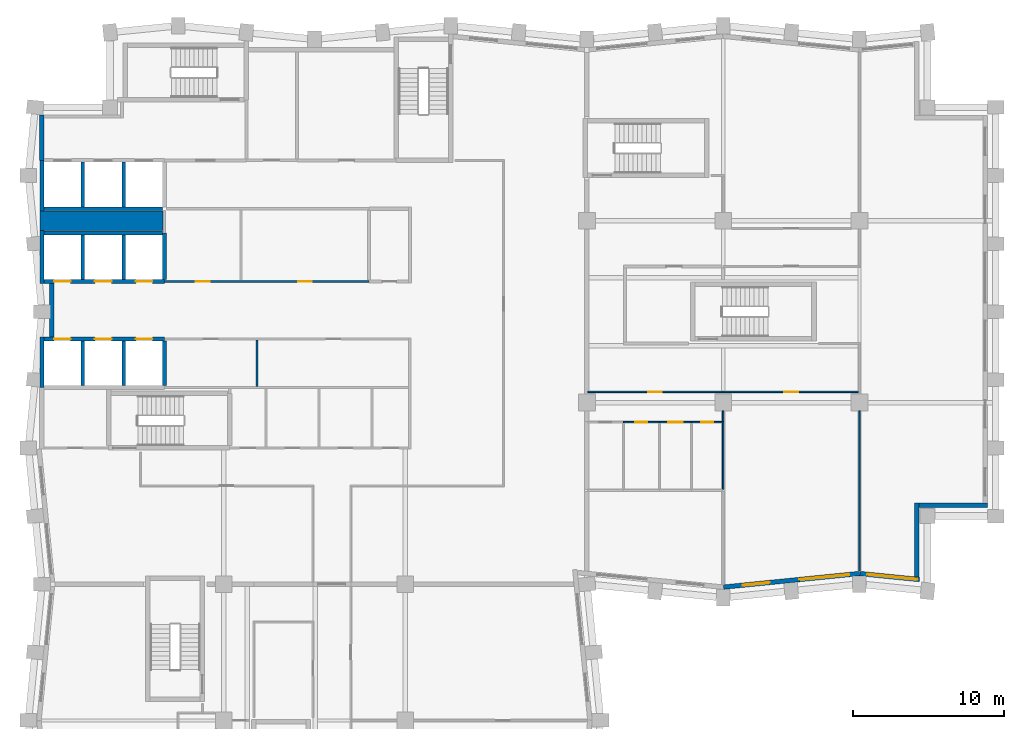
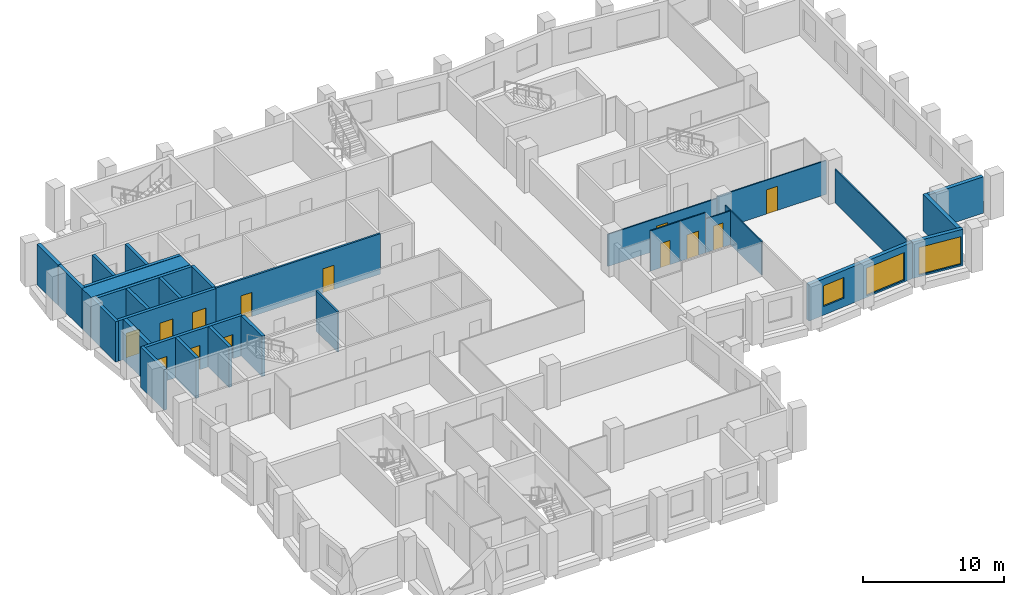
# One storey, part 5 of 10: 32 walls, 13 doors, 3 windows, 16 openings.
"""IFC4 building model written with IfcOpenShell, lengths in metres."""

from ifc_helpers import new_model, si_unit, direction, frame, frame_2d, origin, place, context, subcontext, project, spatial, rectangle, extrude, material, layer, layer_set, type_object, element, fill, save


model = new_model("IFC4")

# Units and contexts
model_context = context("Model", 3, precision=1e-05, world=origin(), true_north=direction((0.0, 1.0)))
body_context = subcontext(model_context, "Body", "Model", "MODEL_VIEW")
ifc_project = project(units=[si_unit("LENGTHUNIT", "METRE"), si_unit("AREAUNIT", "SQUARE_METRE"), si_unit("VOLUMEUNIT", "CUBIC_METRE"), si_unit("PLANEANGLEUNIT", "RADIAN"), si_unit("MASSUNIT", "GRAM", prefix="KILO")], contexts=[model_context])

# Site, building, storey
site_placement = place(None, origin())
site = spatial("IfcSite", under=ifc_project, at=site_placement, CompositionType="ELEMENT")
building_placement = place(site_placement, origin())
building = spatial("IfcBuilding", under=site, at=building_placement, Name="Brondeck Convention Tower", CompositionType="ELEMENT")
storey_placement = place(building_placement, frame((0.0, 0.0, 151.0)))
storey = spatial("IfcBuildingStorey", under=building, at=storey_placement, Name="L36", CompositionType="ELEMENT", Elevation=151.0)

# Walls
ifc_material_1 = material(Name="Concrete C70/85", Category="concrete")
ifc_layer_1 = layer(ifc_material_1, 0.300048828125)
ifc_layer_set_1 = layer_set([ifc_layer_1], Name="Core outer wall 300 Concrete C70/85")
wall_type_1 = type_object("IfcWallType", Name="Core outer wall 300 Concrete C70/85", PredefinedType="SHEAR", material=ifc_layer_set_1)
wall_1_placement = place(storey_placement, frame((0.0, 55.0, 0.0), z_axis=(0.0, 0.0, 1.0), x_axis=(0.0, 1.0, 0.0)))
element("IfcWall", 1, at=wall_1_placement, inside=storey, type_object=wall_type_1, Name="L36 core wall", PredefinedType="SHEAR", context=body_context, shape_type="SweptSolid", body=[
    extrude(rectangle(XDim=3.0, YDim=0.300048828125, at=frame_2d((1.5, 0.0))), origin(), (0.0, 0.0, 1.0), 3.5),
])
wall_2_placement = place(storey_placement, frame((0.64990234375, 43.324951171875, 0.0), z_axis=(0.0, 0.0, 1.0), x_axis=(0.0, 1.0, 0.0)))
element("IfcWall", 2, at=wall_2_placement, inside=storey, type_object=wall_type_1, Name="L36 core wall", PredefinedType="SHEAR", context=body_context, shape_type="SweptSolid", body=[
    extrude(rectangle(XDim=3.550048828125, YDim=0.300048828125, at=frame_2d((1.77490234375, 0.0))), origin(), (0.0, 0.0, 1.0), 3.5),
])

# Wall, openings, doors
ifc_material_2 = material(Name="Fire-rated gypsum board partition")
ifc_layer_2 = layer(ifc_material_2, 0.14990234375)
ifc_layer_set_2 = layer_set([ifc_layer_2], Name="Core partition 150 EI 60")
wall_type_2 = type_object("IfcWallType", Name="Core partition 150 EI 60", PredefinedType="PARTITIONING", material=ifc_layer_set_2)
wall_3_placement = place(storey_placement, frame((8.10009765625, 47.0, 0.0), z_axis=(0.0, 0.0, 1.0), x_axis=(1.0, 0.0, 0.0)))
wall_3 = element("IfcWall", 3, at=wall_3_placement, inside=storey, type_object=wall_type_2, Name="L36 core wall", PredefinedType="PARTITIONING", context=body_context, shape_type="SweptSolid", body=[
    extrude(rectangle(XDim=13.5, YDim=0.14990234375, at=frame_2d((6.75, 0.0))), origin(), (0.0, 0.0, 1.0), 3.5),
])
opening_1_placement = place(wall_3_placement, frame((2.074951171875, 0.0, 0.0)))
opening_1 = element("IfcOpeningElement", 4, at=opening_1_placement, cuts=wall_3, Name="Opening C21-08", PredefinedType="OPENING", context=body_context, shape_type="SweptSolid", body=[
    extrude(rectangle(XDim=0.89990234375, YDim=2.10009765625, at=frame_2d((0.449951171875, 1.050048828125))), frame((0.0, 0.0849609375, 0.0), z_axis=(0.0, -1.0, 0.0), x_axis=(1.0, 0.0, 0.0)), (0.0, 0.0, 1.0), 0.169921875),
])
opening_2_placement = place(wall_3_placement, frame((8.824951171875, 0.0, 0.0)))
opening_2 = element("IfcOpeningElement", 5, at=opening_2_placement, cuts=wall_3, Name="Opening C21-09", PredefinedType="OPENING", context=body_context, shape_type="SweptSolid", body=[
    extrude(rectangle(XDim=0.89990234375, YDim=2.10009765625, at=frame_2d((0.449951171875, 1.050048828125))), frame((0.0, 0.0849609375, 0.0), z_axis=(0.0, -1.0, 0.0), x_axis=(1.0, 0.0, 0.0)), (0.0, 0.0, 1.0), 0.169921875),
])
ifc_material_3 = material(Name="Steel fire door", Category="steel")
door_type_1 = type_object("IfcDoorType", Name="Room door 900x2100 EI 60", OperationType="NOTDEFINED", PredefinedType="DOOR", material=ifc_material_3)
door_1_placement = place(opening_1_placement, origin())
door_1 = element("IfcDoor", 6, at=door_1_placement, inside=storey, type_object=door_type_1, Name="L36 Room door FZ-N-8.1-1", OperationType="SINGLE_SWING_LEFT", OverallHeight=2.10009765625, OverallWidth=0.89990234375, PredefinedType="DOOR", context=body_context, shape_type="SweptSolid", body=[
    extrude(rectangle(XDim=0.89990234375, YDim=2.10009765625, at=frame_2d((0.449951171875, 1.050048828125))), frame((0.0, 0.02490234375, 0.0), z_axis=(0.0, -1.0, 0.0), x_axis=(1.0, 0.0, 0.0)), (0.0, 0.0, 1.0), 0.050048828125),
])
fill(opening_1, door_1)
door_2_placement = place(opening_2_placement, origin())
door_2 = element("IfcDoor", 7, at=door_2_placement, inside=storey, type_object=door_type_1, Name="L36 Room door FZ-N-8.1-2", OperationType="SINGLE_SWING_RIGHT", OverallHeight=2.10009765625, OverallWidth=0.89990234375, PredefinedType="DOOR", context=body_context, shape_type="SweptSolid", body=[
    extrude(rectangle(XDim=0.89990234375, YDim=2.10009765625, at=frame_2d((0.449951171875, 1.050048828125))), frame((0.0, 0.02490234375, 0.0), z_axis=(0.0, -1.0, 0.0), x_axis=(1.0, 0.0, 0.0)), (0.0, 0.0, 1.0), 0.050048828125),
])
fill(opening_2, door_2)

# Walls
wall_4_placement = place(storey_placement, frame((14.199951171875, 40.074951171875, 0.0), z_axis=(0.0, 0.0, 1.0), x_axis=(0.0, 1.0, 0.0)))
element("IfcWall", 8, at=wall_4_placement, inside=storey, type_object=wall_type_2, Name="L36 core wall", PredefinedType="PARTITIONING", context=body_context, shape_type="SweptSolid", body=[
    extrude(rectangle(XDim=3.050048828125, YDim=0.14990234375, at=frame_2d((1.52490234375, 0.0))), origin(), (0.0, 0.0, 1.0), 3.5),
])
ifc_layer_3 = layer(ifc_material_1, 1.300048828125)
ifc_layer_set_3 = layer_set([ifc_layer_3], Name="Core shear wall 1300 Concrete C70/85")
wall_type_3 = type_object("IfcWallType", Name="Core shear wall 1300 Concrete C70/85", PredefinedType="SHEAR", material=ifc_layer_set_3)
wall_5_placement = place(storey_placement, frame((-0.125, 51.0, 0.0), z_axis=(0.0, 0.0, 1.0), x_axis=(1.0, 0.0, 0.0)))
element("IfcWall", 9, at=wall_5_placement, inside=storey, type_object=wall_type_3, Name="L36 core wall", PredefinedType="SHEAR", context=body_context, shape_type="SweptSolid", body=[
    extrude(rectangle(XDim=8.125, YDim=1.300048828125, at=frame_2d((4.0625, 0.0))), origin(), (0.0, 0.0, 1.0), 3.5),
])

# Wall, openings, windows
ifc_material_4 = material(Name="Precast concrete C50/60 bronze finish", Category="concrete")
ifc_layer_4 = layer(ifc_material_4, 0.070068359375, Name="Bronze precast facing")
ifc_material_5 = material(Name="Mineral wool")
ifc_layer_5 = layer(ifc_material_5, 0.159912109375, Name="Insulation")
ifc_material_6 = material(Name="Concrete C35/45", Category="concrete")
ifc_layer_6 = layer(ifc_material_6, 0.070068359375, Name="Backing")
ifc_layer_set_4 = layer_set([ifc_layer_4, ifc_layer_5, ifc_layer_6], Name="External infill wall, precast concrete C50/60 bronze facing")
wall_type_4 = type_object("IfcWallType", Name="External infill wall, precast concrete C50/60 bronze facing", PredefinedType="SOLIDWALL", material=ifc_layer_set_4)
wall_6_placement = place(storey_placement, frame((54.014892578125, 27.705078125, 0.0), z_axis=(0.0, 0.0, 1.0), x_axis=(-0.995035316196, -0.099522457379, 0.0)))
wall_6 = element("IfcWall", 10, at=wall_6_placement, inside=storey, type_object=wall_type_4, Name="ENV-EW-L36-P1-A-S-02", PredefinedType="SOLIDWALL", context=body_context, shape_type="SweptSolid", body=[
    extrude(rectangle(XDim=9.030029296875, YDim=0.300048828125, at=frame_2d((4.51513671875, 0.0))), origin(), (0.0, 0.0, 1.0), 3.14990234375),
])
opening_3_placement = place(wall_6_placement, frame((0.6962890625, 0.0, 0.14990234375)))
opening_3 = element("IfcOpeningElement", 11, at=opening_3_placement, cuts=wall_6, Name="Opening W9", PredefinedType="OPENING", context=body_context, shape_type="SweptSolid", body=[
    extrude(rectangle(XDim=3.300048828125, YDim=2.39990234375, at=frame_2d((1.64990234375, 1.199951171875))), frame((0.0, 0.159912109375, 0.0), z_axis=(0.0, -1.0, 0.0), x_axis=(1.0, 0.0, 0.0)), (0.0, 0.0, 1.0), 0.320068359375),
])
opening_4_placement = place(wall_6_placement, frame((5.968505859375, 0.0, 0.75)))
opening_4 = element("IfcOpeningElement", 12, at=opening_4_placement, cuts=wall_6, Name="Opening W10", PredefinedType="OPENING", context=body_context, shape_type="SweptSolid", body=[
    extrude(rectangle(XDim=1.800048828125, YDim=1.800048828125, at=frame_2d((0.89990234375, 0.89990234375))), frame((0.0, 0.159912109375, 0.0), z_axis=(0.0, -1.0, 0.0), x_axis=(1.0, 0.0, 0.0)), (0.0, 0.0, 1.0), 0.320068359375),
])
ifc_material_7 = material(Name="Bronze tinted double glazing", Category="glass")
window_type_1 = type_object("IfcWindowType", Name="Glazed flute window, bronze tinted", PartitioningType="SINGLE_PANEL", PredefinedType="WINDOW", material=ifc_material_7)
window_1_placement = place(opening_3_placement, origin())
window_1 = element("IfcWindow", 13, at=window_1_placement, inside=storey, type_object=window_type_1, Name="ENV-WN-L36-P1-A-S-03", OverallHeight=2.39990234375, OverallWidth=3.300048828125, PartitioningType="SINGLE_PANEL", PredefinedType="WINDOW", context=body_context, shape_type="SweptSolid", body=[
    extrude(rectangle(XDim=3.300048828125, YDim=2.39990234375, at=frame_2d((1.64990234375, 1.199951171875))), frame((0.0, 0.030029296875, 0.0), z_axis=(0.0, -1.0, 0.0), x_axis=(1.0, 0.0, 0.0)), (0.0, 0.0, 1.0), 0.06005859375),
])
fill(opening_3, window_1)
window_type_2 = type_object("IfcWindowType", Name="Punched window, bronze tinted", PartitioningType="SINGLE_PANEL", PredefinedType="WINDOW", material=ifc_material_7)
window_2_placement = place(opening_4_placement, origin())
window_2 = element("IfcWindow", 14, at=window_2_placement, inside=storey, type_object=window_type_2, Name="ENV-WN-L36-P1-A-S-02", OverallHeight=1.800048828125, OverallWidth=1.800048828125, PartitioningType="SINGLE_PANEL", PredefinedType="WINDOW", context=body_context, shape_type="SweptSolid", body=[
    extrude(rectangle(XDim=1.800048828125, YDim=1.800048828125, at=frame_2d((0.89990234375, 0.89990234375))), frame((0.0, 0.030029296875, 0.0), z_axis=(0.0, -1.0, 0.0), x_axis=(1.0, 0.0, 0.0)), (0.0, 0.0, 1.0), 0.06005859375),
])
fill(opening_4, window_2)

# Wall, opening, window
wall_7_placement = place(storey_placement, frame((57.96484375, 27.306884765625, 0.0), z_axis=(0.0, 0.0, 1.0), x_axis=(-0.99503596767, 0.099515943658, 0.0)))
wall_7 = element("IfcWall", 15, at=wall_7_placement, inside=storey, type_object=wall_type_4, Name="ENV-EW-L36-P1-A-S-04", PredefinedType="SOLIDWALL", context=body_context, shape_type="SweptSolid", body=[
    extrude(rectangle(XDim=3.95458984375, YDim=0.300048828125, at=frame_2d((1.977294921875, 0.0))), origin(), (0.0, 0.0, 1.0), 3.14990234375),
])
opening_5_placement = place(wall_7_placement, frame((0.14990234375, 0.0, 0.14990234375)))
opening_5 = element("IfcOpeningElement", 16, at=opening_5_placement, cuts=wall_7, Name="Opening W9", PredefinedType="OPENING", context=body_context, shape_type="SweptSolid", body=[
    extrude(rectangle(XDim=3.300048828125, YDim=2.39990234375, at=frame_2d((1.64990234375, 1.199951171875))), frame((0.0, 0.159912109375, 0.0), z_axis=(0.0, -1.0, 0.0), x_axis=(1.0, 0.0, 0.0)), (0.0, 0.0, 1.0), 0.320068359375),
])
window_3_placement = place(opening_5_placement, origin())
window_3 = element("IfcWindow", 17, at=window_3_placement, inside=storey, type_object=window_type_1, Name="ENV-WN-L36-P1-A-S-04", OverallHeight=2.39990234375, OverallWidth=3.300048828125, PartitioningType="SINGLE_PANEL", PredefinedType="WINDOW", context=body_context, shape_type="SweptSolid", body=[
    extrude(rectangle(XDim=3.300048828125, YDim=2.39990234375, at=frame_2d((1.64990234375, 1.199951171875))), frame((0.0, 0.030029296875, 0.0), z_axis=(0.0, -1.0, 0.0), x_axis=(1.0, 0.0, 0.0)), (0.0, 0.0, 1.0), 0.06005859375),
])
fill(opening_5, window_3)

# Walls
wall_8_placement = place(storey_placement, frame((57.800048828125, 32.35009765625, 0.0), z_axis=(0.0, 0.0, 1.0), x_axis=(0.0, -1.0, 0.0)))
element("IfcWall", 18, at=wall_8_placement, inside=storey, type_object=wall_type_4, Name="ENV-EW-L36-P1-NC-SEA63-01", PredefinedType="SOLIDWALL", context=body_context, shape_type="SweptSolid", body=[
    extrude(rectangle(XDim=4.87060546875, YDim=0.300048828125, at=frame_2d((2.435302734375, 0.0))), origin(), (0.0, 0.0, 1.0), 3.14990234375),
])
wall_9_placement = place(storey_placement, frame((62.449951171875, 32.199951171875, 0.0), z_axis=(0.0, 0.0, 1.0), x_axis=(-1.0, 0.0, 0.0)))
element("IfcWall", 19, at=wall_9_placement, inside=storey, type_object=wall_type_4, Name="ENV-EW-L36-P1-NC-SEA63-02", PredefinedType="SOLIDWALL", context=body_context, shape_type="SweptSolid", body=[
    extrude(rectangle(XDim=4.501953125, YDim=0.300048828125, at=frame_2d((2.2509765625, 0.0))), origin(), (0.0, 0.0, 1.0), 3.14990234375),
])

# Wall, openings, doors
ifc_layer_7 = layer(ifc_material_1, 0.25)
ifc_layer_set_5 = layer_set([ifc_layer_7], Name="Lift shaft wall 250 Concrete C70/85")
wall_type_5 = type_object("IfcWallType", Name="Lift shaft wall 250 Concrete C70/85", PredefinedType="SHEAR", material=ifc_layer_set_5)
wall_10_placement = place(storey_placement, frame((0.125, 43.199951171875, 0.0), z_axis=(0.0, 0.0, 1.0), x_axis=(1.0, 0.0, 0.0)))
wall_10 = element("IfcWall", 20, at=wall_10_placement, inside=storey, type_object=wall_type_5, Name="L36 core wall", PredefinedType="SHEAR", context=body_context, shape_type="SweptSolid", body=[
    extrude(rectangle(XDim=7.97509765625, YDim=0.25, at=frame_2d((3.987548828125, 0.0))), origin(), (0.0, 0.0, 1.0), 3.5),
])
opening_6_placement = place(wall_10_placement, frame((0.675048828125, 0.0, 0.0)))
opening_6 = element("IfcOpeningElement", 21, at=opening_6_placement, cuts=wall_10, Name="Opening C21-24", PredefinedType="OPENING", context=body_context, shape_type="SweptSolid", body=[
    extrude(rectangle(XDim=1.10009765625, YDim=2.10009765625, at=frame_2d((0.550048828125, 1.050048828125))), frame((0.0, 0.135009765625, 0.0), z_axis=(0.0, -1.0, 0.0), x_axis=(1.0, 0.0, 0.0)), (0.0, 0.0, 1.0), 0.27001953125),
])
opening_7_placement = place(wall_10_placement, frame((3.375, 0.0, 0.0)))
opening_7 = element("IfcOpeningElement", 22, at=opening_7_placement, cuts=wall_10, Name="Opening C21-25", PredefinedType="OPENING", context=body_context, shape_type="SweptSolid", body=[
    extrude(rectangle(XDim=1.10009765625, YDim=2.10009765625, at=frame_2d((0.550048828125, 1.050048828125))), frame((0.0, 0.135009765625, 0.0), z_axis=(0.0, -1.0, 0.0), x_axis=(1.0, 0.0, 0.0)), (0.0, 0.0, 1.0), 0.27001953125),
])
opening_8_placement = place(wall_10_placement, frame((6.074951171875, 0.0, 0.0)))
opening_8 = element("IfcOpeningElement", 23, at=opening_8_placement, cuts=wall_10, Name="Opening C21-26", PredefinedType="OPENING", context=body_context, shape_type="SweptSolid", body=[
    extrude(rectangle(XDim=1.10009765625, YDim=2.10009765625, at=frame_2d((0.550048828125, 1.050048828125))), frame((0.0, 0.135009765625, 0.0), z_axis=(0.0, -1.0, 0.0), x_axis=(1.0, 0.0, 0.0)), (0.0, 0.0, 1.0), 0.27001953125),
])
ifc_material_8 = material(Name="Stainless steel lift door", Category="steel")
door_type_2 = type_object("IfcDoorType", Name="Lift landing door 1100x2100 EI 180", OperationType="DOUBLE_DOOR_SLIDING", PredefinedType="DOOR", material=ifc_material_8)
door_3_placement = place(opening_6_placement, origin())
door_3 = element("IfcDoor", 24, at=door_3_placement, inside=storey, type_object=door_type_2, Name="L36 Lift landing door HR1", OperationType="DOUBLE_DOOR_SLIDING", OverallHeight=2.10009765625, OverallWidth=1.10009765625, PredefinedType="DOOR", context=body_context, shape_type="SweptSolid", body=[
    extrude(rectangle(XDim=1.10009765625, YDim=2.10009765625, at=frame_2d((0.550048828125, 1.050048828125))), frame((0.0, 0.02490234375, 0.0), z_axis=(0.0, -1.0, 0.0), x_axis=(1.0, 0.0, 0.0)), (0.0, 0.0, 1.0), 0.050048828125),
])
fill(opening_6, door_3)
door_4_placement = place(opening_7_placement, origin())
door_4 = element("IfcDoor", 25, at=door_4_placement, inside=storey, type_object=door_type_2, Name="L36 Lift landing door HR2", OperationType="DOUBLE_DOOR_SLIDING", OverallHeight=2.10009765625, OverallWidth=1.10009765625, PredefinedType="DOOR", context=body_context, shape_type="SweptSolid", body=[
    extrude(rectangle(XDim=1.10009765625, YDim=2.10009765625, at=frame_2d((0.550048828125, 1.050048828125))), frame((0.0, 0.02490234375, 0.0), z_axis=(0.0, -1.0, 0.0), x_axis=(1.0, 0.0, 0.0)), (0.0, 0.0, 1.0), 0.050048828125),
])
fill(opening_7, door_4)
door_5_placement = place(opening_8_placement, origin())
door_5 = element("IfcDoor", 26, at=door_5_placement, inside=storey, type_object=door_type_2, Name="L36 Lift landing door HR3", OperationType="DOUBLE_DOOR_SLIDING", OverallHeight=2.10009765625, OverallWidth=1.10009765625, PredefinedType="DOOR", context=body_context, shape_type="SweptSolid", body=[
    extrude(rectangle(XDim=1.10009765625, YDim=2.10009765625, at=frame_2d((0.550048828125, 1.050048828125))), frame((0.0, 0.02490234375, 0.0), z_axis=(0.0, -1.0, 0.0), x_axis=(1.0, 0.0, 0.0)), (0.0, 0.0, 1.0), 0.050048828125),
])
fill(opening_8, door_5)

wall_11_placement = place(storey_placement, frame((0.125, 47.0, 0.0), z_axis=(0.0, 0.0, 1.0), x_axis=(1.0, 0.0, 0.0)))
wall_11 = element("IfcWall", 27, at=wall_11_placement, inside=storey, type_object=wall_type_5, Name="L36 core wall", PredefinedType="SHEAR", context=body_context, shape_type="SweptSolid", body=[
    extrude(rectangle(XDim=7.97509765625, YDim=0.25, at=frame_2d((3.987548828125, 0.0))), origin(), (0.0, 0.0, 1.0), 3.5),
])
opening_9_placement = place(wall_11_placement, frame((0.675048828125, 0.0, 0.0)))
opening_9 = element("IfcOpeningElement", 28, at=opening_9_placement, cuts=wall_11, Name="Opening C21-27", PredefinedType="OPENING", context=body_context, shape_type="SweptSolid", body=[
    extrude(rectangle(XDim=1.10009765625, YDim=2.10009765625, at=frame_2d((0.550048828125, 1.050048828125))), frame((0.0, 0.135009765625, 0.0), z_axis=(0.0, -1.0, 0.0), x_axis=(1.0, 0.0, 0.0)), (0.0, 0.0, 1.0), 0.27001953125),
])
opening_10_placement = place(wall_11_placement, frame((3.375, 0.0, 0.0)))
opening_10 = element("IfcOpeningElement", 29, at=opening_10_placement, cuts=wall_11, Name="Opening C21-28", PredefinedType="OPENING", context=body_context, shape_type="SweptSolid", body=[
    extrude(rectangle(XDim=1.10009765625, YDim=2.10009765625, at=frame_2d((0.550048828125, 1.050048828125))), frame((0.0, 0.135009765625, 0.0), z_axis=(0.0, -1.0, 0.0), x_axis=(1.0, 0.0, 0.0)), (0.0, 0.0, 1.0), 0.27001953125),
])
opening_11_placement = place(wall_11_placement, frame((6.074951171875, 0.0, 0.0)))
opening_11 = element("IfcOpeningElement", 30, at=opening_11_placement, cuts=wall_11, Name="Opening C21-29", PredefinedType="OPENING", context=body_context, shape_type="SweptSolid", body=[
    extrude(rectangle(XDim=1.10009765625, YDim=2.10009765625, at=frame_2d((0.550048828125, 1.050048828125))), frame((0.0, 0.135009765625, 0.0), z_axis=(0.0, -1.0, 0.0), x_axis=(1.0, 0.0, 0.0)), (0.0, 0.0, 1.0), 0.27001953125),
])
door_6_placement = place(opening_9_placement, origin())
door_6 = element("IfcDoor", 31, at=door_6_placement, inside=storey, type_object=door_type_2, Name="L36 Lift landing door HR4", OperationType="DOUBLE_DOOR_SLIDING", OverallHeight=2.10009765625, OverallWidth=1.10009765625, PredefinedType="DOOR", context=body_context, shape_type="SweptSolid", body=[
    extrude(rectangle(XDim=1.10009765625, YDim=2.10009765625, at=frame_2d((0.550048828125, 1.050048828125))), frame((0.0, 0.02490234375, 0.0), z_axis=(0.0, -1.0, 0.0), x_axis=(1.0, 0.0, 0.0)), (0.0, 0.0, 1.0), 0.050048828125),
])
fill(opening_9, door_6)
door_7_placement = place(opening_10_placement, origin())
door_7 = element("IfcDoor", 32, at=door_7_placement, inside=storey, type_object=door_type_2, Name="L36 Lift landing door HR5", OperationType="DOUBLE_DOOR_SLIDING", OverallHeight=2.10009765625, OverallWidth=1.10009765625, PredefinedType="DOOR", context=body_context, shape_type="SweptSolid", body=[
    extrude(rectangle(XDim=1.10009765625, YDim=2.10009765625, at=frame_2d((0.550048828125, 1.050048828125))), frame((0.0, 0.02490234375, 0.0), z_axis=(0.0, -1.0, 0.0), x_axis=(1.0, 0.0, 0.0)), (0.0, 0.0, 1.0), 0.050048828125),
])
fill(opening_10, door_7)
door_8_placement = place(opening_11_placement, origin())
door_8 = element("IfcDoor", 33, at=door_8_placement, inside=storey, type_object=door_type_2, Name="L36 Lift landing door HR6", OperationType="DOUBLE_DOOR_SLIDING", OverallHeight=2.10009765625, OverallWidth=1.10009765625, PredefinedType="DOOR", context=body_context, shape_type="SweptSolid", body=[
    extrude(rectangle(XDim=1.10009765625, YDim=2.10009765625, at=frame_2d((0.550048828125, 1.050048828125))), frame((0.0, 0.02490234375, 0.0), z_axis=(0.0, -1.0, 0.0), x_axis=(1.0, 0.0, 0.0)), (0.0, 0.0, 1.0), 0.050048828125),
])
fill(opening_11, door_8)

# Walls
for number, where, z_axis, x_axis, name in (
    (34, (0.125, 50.199951171875, 0.0), (0.0, 0.0, 1.0), (1.0, 0.0, 0.0), "L36 core wall"),
    (35, (0.125, 51.800048828125, 0.0), (0.0, 0.0, 1.0), (1.0, 0.0, 0.0), "L36 core wall"),
):
    element("IfcWall", number, at=place(storey_placement, frame(where, z_axis=z_axis, x_axis=x_axis)), inside=storey, type_object=wall_type_5, Name=name, PredefinedType="SHEAR", context=body_context, shape_type="SweptSolid", body=[
        extrude(rectangle(XDim=7.85009765625, YDim=0.25, at=frame_2d((3.925048828125, 0.0))), origin(), (0.0, 0.0, 1.0), 3.5),
    ])
wall_12_placement = place(storey_placement, frame((0.0, 40.0, 0.0), z_axis=(0.0, 0.0, 1.0), x_axis=(0.0, 1.0, 0.0)))
element("IfcWall", 36, at=wall_12_placement, inside=storey, type_object=wall_type_5, Name="L36 core wall", PredefinedType="SHEAR", context=body_context, shape_type="SweptSolid", body=[
    extrude(rectangle(XDim=3.324951171875, YDim=0.25, at=frame_2d((1.66259765625, 0.0))), origin(), (0.0, 0.0, 1.0), 3.5),
])
wall_13_placement = place(storey_placement, frame((0.0, 46.875, 0.0), z_axis=(0.0, 0.0, 1.0), x_axis=(0.0, 1.0, 0.0)))
element("IfcWall", 37, at=wall_13_placement, inside=storey, type_object=wall_type_5, Name="L36 core wall", PredefinedType="SHEAR", context=body_context, shape_type="SweptSolid", body=[
    extrude(rectangle(XDim=3.47509765625, YDim=0.25, at=frame_2d((1.737548828125, 0.0))), origin(), (0.0, 0.0, 1.0), 3.5),
])
wall_14_placement = place(storey_placement, frame((0.0, 51.64990234375, 0.0), z_axis=(0.0, 0.0, 1.0), x_axis=(0.0, 1.0, 0.0)))
element("IfcWall", 38, at=wall_14_placement, inside=storey, type_object=wall_type_5, Name="L36 core wall", PredefinedType="SHEAR", context=body_context, shape_type="SweptSolid", body=[
    extrude(rectangle(XDim=3.35009765625, YDim=0.25, at=frame_2d((1.675048828125, 0.0))), origin(), (0.0, 0.0, 1.0), 3.5),
])
for number, where, z_axis, x_axis, name in (
    (39, (2.699951171875, 40.125, 0.0), (0.0, 0.0, 1.0), (0.0, 1.0, 0.0), "L36 core wall"),
    (40, (2.699951171875, 47.125, 0.0), (0.0, 0.0, 1.0), (0.0, 1.0, 0.0), "L36 core wall"),
    (41, (2.699951171875, 51.925048828125, 0.0), (0.0, 0.0, 1.0), (0.0, 1.0, 0.0), "L36 core wall"),
    (42, (5.39990234375, 40.125, 0.0), (0.0, 0.0, 1.0), (0.0, 1.0, 0.0), "L36 core wall"),
    (43, (5.39990234375, 47.125, 0.0), (0.0, 0.0, 1.0), (0.0, 1.0, 0.0), "L36 core wall"),
    (44, (5.39990234375, 51.925048828125, 0.0), (0.0, 0.0, 1.0), (0.0, 1.0, 0.0), "L36 core wall"),
    (45, (8.10009765625, 40.125, 0.0), (0.0, 0.0, 1.0), (0.0, 1.0, 0.0), "L36 core wall"),
):
    element("IfcWall", number, at=place(storey_placement, frame(where, z_axis=z_axis, x_axis=x_axis)), inside=storey, type_object=wall_type_5, Name=name, PredefinedType="SHEAR", context=body_context, shape_type="SweptSolid", body=[
        extrude(rectangle(XDim=2.949951171875, YDim=0.25, at=frame_2d((1.47509765625, 0.0))), origin(), (0.0, 0.0, 1.0), 3.5),
    ])
wall_15_placement = place(storey_placement, frame((8.10009765625, 47.125, 0.0), z_axis=(0.0, 0.0, 1.0), x_axis=(0.0, 1.0, 0.0)))
element("IfcWall", 46, at=wall_15_placement, inside=storey, type_object=wall_type_5, Name="L36 core wall", PredefinedType="SHEAR", context=body_context, shape_type="SweptSolid", body=[
    extrude(rectangle(XDim=3.074951171875, YDim=0.25, at=frame_2d((1.53759765625, 0.0))), origin(), (0.0, 0.0, 1.0), 3.5),
])
ifc_material_9 = material(Name="Gypsum board partition on steel studs", Category="steel")
ifc_layer_8 = layer(ifc_material_9, 0.10009765625)
ifc_layer_set_6 = layer_set([ifc_layer_8], Name="Room partition 100")
wall_type_6 = type_object("IfcWallType", Name="Room partition 100", PredefinedType="PARTITIONING", material=ifc_layer_set_6)
wall_16_placement = place(storey_placement, frame((54.0, 27.874267578125, 0.0), z_axis=(0.0, 0.0, 1.0), x_axis=(0.0, 1.0, 0.0)))
element("IfcWall", 47, at=wall_16_placement, inside=storey, type_object=wall_type_6, Name="FLR-L36-W028", PredefinedType="PARTITIONING", context=body_context, shape_type="SweptSolid", body=[
    extrude(rectangle(XDim=10.57080078125, YDim=0.10009765625, at=frame_2d((5.285400390625, 0.0))), origin(), (0.0, 0.0, 1.0), 2.929931640625),
])
wall_17_placement = place(storey_placement, frame((45.0, 37.7451171875, 0.0), z_axis=(0.0, 0.0, 1.0), x_axis=(0.0, -1.0, 0.0)))
element("IfcWall", 48, at=wall_17_placement, inside=storey, type_object=wall_type_6, Name="FLR-L36-W043", PredefinedType="PARTITIONING", context=body_context, shape_type="SweptSolid", body=[
    extrude(rectangle(XDim=4.482666015625, YDim=0.10009765625, at=frame_2d((2.2412109375, 0.0))), origin(), (0.0, 0.0, 1.0), 2.929931640625),
])

# Wall, opening, door
wall_18_placement = place(storey_placement, frame((40.800048828125, 37.699951171875, 0.0), z_axis=(0.0, 0.0, 1.0), x_axis=(-1.0, 0.0, 0.0)))
wall_18 = element("IfcWall", 49, at=wall_18_placement, inside=storey, type_object=wall_type_6, Name="FLR-L36-W045", PredefinedType="PARTITIONING", context=body_context, shape_type="SweptSolid", body=[
    extrude(rectangle(XDim=2.400146484375, YDim=0.10009765625, at=frame_2d((1.2001953125, 0.0))), origin(), (0.0, 0.0, 1.0), 3.47998046875),
])
opening_12_placement = place(wall_18_placement, frame((0.800048828125, 0.0, 0.0)))
opening_12 = element("IfcOpeningElement", 50, at=opening_12_placement, cuts=wall_18, Name="Opening OF-F2-008", PredefinedType="OPENING", context=body_context, shape_type="SweptSolid", body=[
    extrude(rectangle(XDim=0.800048828125, YDim=2.10009765625, at=frame_2d((0.39990234375, 1.050048828125))), frame((0.0, 0.06005859375, 0.0), z_axis=(0.0, -1.0, 0.0), x_axis=(1.0, 0.0, 0.0)), (0.0, 0.0, 1.0), 0.1201171875),
])
ifc_material_10 = material(Name="Solid timber door leaf", Category="wood")
door_type_3 = type_object("IfcDoorType", Name="En-suite door 800", OperationType="NOTDEFINED", PredefinedType="DOOR", material=ifc_material_10)
door_9_placement = place(opening_12_placement, origin())
door_9 = element("IfcDoor", 51, at=door_9_placement, inside=storey, type_object=door_type_3, Name="Door OF-F2-008", OperationType="SINGLE_SWING_LEFT", OverallHeight=2.10009765625, OverallWidth=0.800048828125, PredefinedType="DOOR", context=body_context, shape_type="SweptSolid", body=[
    extrude(rectangle(XDim=0.800048828125, YDim=2.10009765625, at=frame_2d((0.39990234375, 1.050048828125))), frame((0.0, 0.02490234375, 0.0), z_axis=(0.0, -1.0, 0.0), x_axis=(1.0, 0.0, 0.0)), (0.0, 0.0, 1.0), 0.050048828125),
])
fill(opening_12, door_9)

wall_19_placement = place(storey_placement, frame((42.89990234375, 37.699951171875, 0.0), z_axis=(0.0, 0.0, 1.0), x_axis=(-1.0, 0.0, 0.0)))
wall_19 = element("IfcWall", 52, at=wall_19_placement, inside=storey, type_object=wall_type_6, Name="FLR-L36-W046", PredefinedType="PARTITIONING", context=body_context, shape_type="SweptSolid", body=[
    extrude(rectangle(XDim=2.099853515625, YDim=0.10009765625, at=frame_2d((1.0498046875, 0.0))), origin(), (0.0, 0.0, 1.0), 3.47998046875),
])
opening_13_placement = place(wall_19_placement, frame((0.574951171875, 0.0, 0.0)))
opening_13 = element("IfcOpeningElement", 53, at=opening_13_placement, cuts=wall_19, Name="Opening OF-F2-009", PredefinedType="OPENING", context=body_context, shape_type="SweptSolid", body=[
    extrude(rectangle(XDim=0.949951171875, YDim=2.10009765625, at=frame_2d((0.47509765625, 1.050048828125))), frame((0.0, 0.06005859375, 0.0), z_axis=(0.0, -1.0, 0.0), x_axis=(1.0, 0.0, 0.0)), (0.0, 0.0, 1.0), 0.1201171875),
])
door_type_4 = type_object("IfcDoorType", Name="Accessible door 950", OperationType="NOTDEFINED", PredefinedType="DOOR", material=ifc_material_10)
door_10_placement = place(opening_13_placement, origin())
door_10 = element("IfcDoor", 54, at=door_10_placement, inside=storey, type_object=door_type_4, Name="Door OF-F2-009", OperationType="SINGLE_SWING_RIGHT", OverallHeight=2.10009765625, OverallWidth=0.949951171875, PredefinedType="DOOR", context=body_context, shape_type="SweptSolid", body=[
    extrude(rectangle(XDim=0.949951171875, YDim=2.10009765625, at=frame_2d((0.47509765625, 1.050048828125))), frame((0.0, 0.02490234375, 0.0), z_axis=(0.0, -1.0, 0.0), x_axis=(1.0, 0.0, 0.0)), (0.0, 0.0, 1.0), 0.050048828125),
])
fill(opening_13, door_10)

wall_20_placement = place(storey_placement, frame((44.949951171875, 37.699951171875, 0.0), z_axis=(0.0, 0.0, 1.0), x_axis=(-1.0, 0.0, 0.0)))
wall_20 = element("IfcWall", 55, at=wall_20_placement, inside=storey, type_object=wall_type_6, Name="FLR-L36-W047", PredefinedType="PARTITIONING", context=body_context, shape_type="SweptSolid", body=[
    extrude(rectangle(XDim=2.050048828125, YDim=0.10009765625, at=frame_2d((1.02490234375, 0.0))), origin(), (0.0, 0.0, 1.0), 2.929931640625),
])
opening_14_placement = place(wall_20_placement, frame((0.60009765625, 0.0, 0.0)))
opening_14 = element("IfcOpeningElement", 56, at=opening_14_placement, cuts=wall_20, Name="Opening OF-F2-010", PredefinedType="OPENING", context=body_context, shape_type="SweptSolid", body=[
    extrude(rectangle(XDim=0.800048828125, YDim=2.10009765625, at=frame_2d((0.39990234375, 1.050048828125))), frame((0.0, 0.06005859375, 0.0), z_axis=(0.0, -1.0, 0.0), x_axis=(1.0, 0.0, 0.0)), (0.0, 0.0, 1.0), 0.1201171875),
])
ifc_material_11 = material(Name="Steel service door leaf", Category="steel")
door_type_5 = type_object("IfcDoorType", Name="Service door 800", OperationType="NOTDEFINED", PredefinedType="DOOR", material=ifc_material_11)
door_11_placement = place(opening_14_placement, origin())
door_11 = element("IfcDoor", 57, at=door_11_placement, inside=storey, type_object=door_type_5, Name="Door OF-F2-010", OperationType="SINGLE_SWING_LEFT", OverallHeight=2.10009765625, OverallWidth=0.800048828125, PredefinedType="DOOR", context=body_context, shape_type="SweptSolid", body=[
    extrude(rectangle(XDim=0.800048828125, YDim=2.10009765625, at=frame_2d((0.39990234375, 1.050048828125))), frame((0.0, 0.02490234375, 0.0), z_axis=(0.0, -1.0, 0.0), x_axis=(1.0, 0.0, 0.0)), (0.0, 0.0, 1.0), 0.050048828125),
])
fill(opening_14, door_11)

# Wall
wall_21_placement = place(storey_placement, frame((45.0, 38.445068359375, 0.0), z_axis=(0.0, 0.0, 1.0), x_axis=(0.0, -1.0, 0.0)))
element("IfcWall", 58, at=wall_21_placement, inside=storey, type_object=wall_type_6, Name="FLR-L36-W049", PredefinedType="PARTITIONING", context=body_context, shape_type="SweptSolid", body=[
    extrude(rectangle(XDim=0.695068359375, YDim=0.10009765625, at=frame_2d((0.34765625, 0.0))), origin(), (0.0, 0.0, 1.0), 2.929931640625),
])

# Wall, opening, door
wall_22_placement = place(storey_placement, frame((45.0, 39.699951171875, 0.0), z_axis=(0.0, 0.0, 1.0), x_axis=(-1.0, 0.0, 0.0)))
wall_22 = element("IfcWall", 59, at=wall_22_placement, inside=storey, type_object=wall_type_6, Name="FLR-L36-W050", PredefinedType="PARTITIONING", context=body_context, shape_type="SweptSolid", body=[
    extrude(rectangle(XDim=8.949951171875, YDim=0.10009765625, at=frame_2d((4.47509765625, 0.0))), origin(), (0.0, 0.0, 1.0), 2.780029296875),
])
opening_15_placement = place(wall_22_placement, frame((4.050048828125, 0.0, 0.0)))
opening_15 = element("IfcOpeningElement", 60, at=opening_15_placement, cuts=wall_22, Name="Opening OF-F2-006", PredefinedType="OPENING", context=body_context, shape_type="SweptSolid", body=[
    extrude(rectangle(XDim=0.89990234375, YDim=2.10009765625, at=frame_2d((0.449951171875, 1.050048828125))), frame((0.0, 0.06005859375, 0.0), z_axis=(0.0, -1.0, 0.0), x_axis=(1.0, 0.0, 0.0)), (0.0, 0.0, 1.0), 0.1201171875),
])
door_type_6 = type_object("IfcDoorType", Name="Single door 900", OperationType="NOTDEFINED", PredefinedType="DOOR", material=ifc_material_10)
door_12_placement = place(opening_15_placement, origin())
door_12 = element("IfcDoor", 61, at=door_12_placement, inside=storey, type_object=door_type_6, Name="Door OF-F2-006", OperationType="SINGLE_SWING_LEFT", OverallHeight=2.10009765625, OverallWidth=0.89990234375, PredefinedType="DOOR", context=body_context, shape_type="SweptSolid", body=[
    extrude(rectangle(XDim=0.89990234375, YDim=2.10009765625, at=frame_2d((0.449951171875, 1.050048828125))), frame((0.0, 0.02490234375, 0.0), z_axis=(0.0, -1.0, 0.0), x_axis=(1.0, 0.0, 0.0)), (0.0, 0.0, 1.0), 0.050048828125),
])
fill(opening_15, door_12)

wall_23_placement = place(storey_placement, frame((53.949951171875, 39.699951171875, 0.0), z_axis=(0.0, 0.0, 1.0), x_axis=(-1.0, 0.0, 0.0)))
wall_23 = element("IfcWall", 62, at=wall_23_placement, inside=storey, type_object=wall_type_6, Name="FLR-L36-W051", PredefinedType="PARTITIONING", context=body_context, shape_type="SweptSolid", body=[
    extrude(rectangle(XDim=8.949951171875, YDim=0.10009765625, at=frame_2d((4.47509765625, 0.0))), origin(), (0.0, 0.0, 1.0), 2.929931640625),
])
opening_16_placement = place(wall_23_placement, frame((4.0, 0.0, 0.0)))
opening_16 = element("IfcOpeningElement", 63, at=opening_16_placement, cuts=wall_23, Name="Opening OF-F2-011", PredefinedType="OPENING", context=body_context, shape_type="SweptSolid", body=[
    extrude(rectangle(XDim=0.89990234375, YDim=2.10009765625, at=frame_2d((0.449951171875, 1.050048828125))), frame((0.0, 0.06005859375, 0.0), z_axis=(0.0, -1.0, 0.0), x_axis=(1.0, 0.0, 0.0)), (0.0, 0.0, 1.0), 0.1201171875),
])
door_13_placement = place(opening_16_placement, origin())
door_13 = element("IfcDoor", 64, at=door_13_placement, inside=storey, type_object=door_type_6, Name="Door OF-F2-011", OperationType="SINGLE_SWING_LEFT", OverallHeight=2.10009765625, OverallWidth=0.89990234375, PredefinedType="DOOR", context=body_context, shape_type="SweptSolid", body=[
    extrude(rectangle(XDim=0.89990234375, YDim=2.10009765625, at=frame_2d((0.449951171875, 1.050048828125))), frame((0.0, 0.02490234375, 0.0), z_axis=(0.0, -1.0, 0.0), x_axis=(1.0, 0.0, 0.0)), (0.0, 0.0, 1.0), 0.050048828125),
])
fill(opening_16, door_13)

save(model, "model.ifc")
